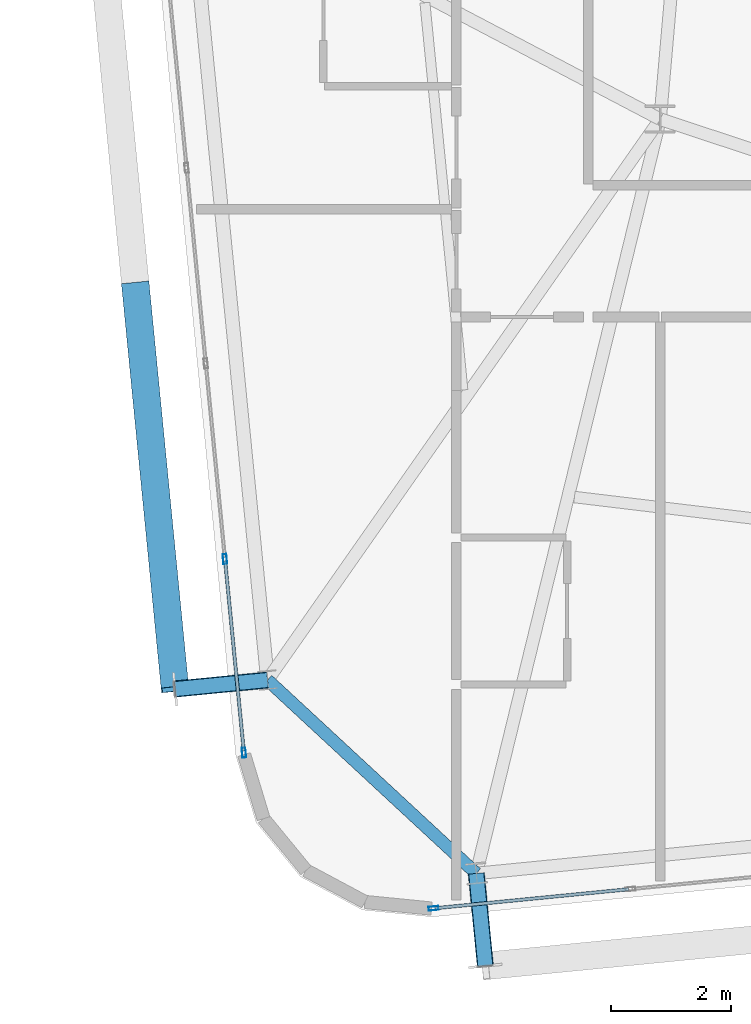
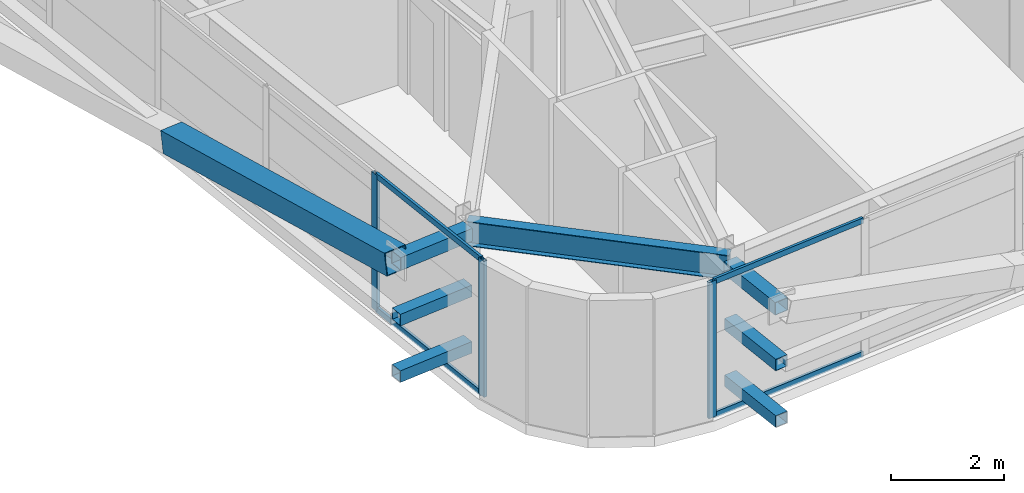
# One storey, part 5 of 53: 14 members, 1 beam, 2 elements without a shape of their own.
"""IFC4 building model written with IfcOpenShell, lengths in metres."""

from ifc_helpers import new_model, si_unit, direction, frame, origin, origin_2d, place, context, subcontext, project, spatial, hollow_rectangle, i_section, extrude, source, transform, mapped, material, layer, layer_set, material_profile, profile_set, type_object, element, aggregate, save


model = new_model("IFC4")

# Units and contexts
model_context = context("Model", 3, precision=1e-05, world=origin(), true_north=direction((0.0, 1.0)))
body_context = subcontext(model_context, "Body", "Model", "MODEL_VIEW")
ifc_project = project(units=[si_unit("LENGTHUNIT", "METRE"), si_unit("AREAUNIT", "SQUARE_METRE"), si_unit("VOLUMEUNIT", "CUBIC_METRE"), si_unit("PLANEANGLEUNIT", "RADIAN"), si_unit("MASSUNIT", "GRAM", prefix="KILO")], contexts=[model_context])

# Site, building, storey
site_placement = place(None, origin())
site = spatial("IfcSite", under=ifc_project, at=site_placement, CompositionType="ELEMENT")
building_placement = place(site_placement, origin())
building = spatial("IfcBuilding", under=site, at=building_placement, Name="Taldren Reach Tower", CompositionType="ELEMENT")
storey_placement = place(building_placement, frame((0.0, 0.0, 84.0)))
storey = spatial("IfcBuildingStorey", under=building, at=storey_placement, Name="L25", CompositionType="ELEMENT", Elevation=84.0)

# Beam
ifc_material_1 = material(Name="Steel Gr 350 (350PLUS)", Category="steel")
ifc_material_profile_1 = material_profile(ifc_material_1, i_section(OverallWidth=0.208984375, OverallDepth=0.528076171875, WebThickness=0.009521484375, FlangeThickness=0.01318359375, at=origin_2d()), Name="530UB82.0")
ifc_profile_set_1 = profile_set([ifc_material_profile_1], Name="Steel Gr 350 (350PLUS)")
beam_type = type_object("IfcBeamType", Name="SP-UB530B", PredefinedType="SPANDREL", material=ifc_profile_set_1)
shared_shape_1 = source(origin(), body_context, "Body", "SweptSolid", [
    extrude(i_section(OverallWidth=0.208984375, OverallDepth=0.528076171875, WebThickness=0.009521484375, FlangeThickness=0.01318359375, at=origin_2d()), origin(), (0.0, 0.0, 1.0), 4.745849609375),
])
beam_placement = place(storey_placement, frame((11.452880859375, 3.145751953125, 2.666015625), z_axis=(0.733524121458, -0.679663419083, 0.0), x_axis=(0.679663419083, 0.733524121458, 0.0)))
element("IfcBeam", 1, at=beam_placement, inside=storey, type_object=beam_type, Name="Perimeter spandrel B2 W1-S1 L25", PredefinedType="SPANDREL", context=body_context, shape_type="MappedRepresentation", body=[
    mapped(shared_shape_1, transform((0.0, 0.0, 0.0), scale=1.0)),
])

# Members
ifc_material_2 = material(Name="Steel Gr 450 (C450L0)", Category="steel")
ifc_material_profile_2 = material_profile(ifc_material_2, hollow_rectangle(XDim=0.27490234375, YDim=0.27490234375, WallThickness=0.00927734375, at=origin_2d()), Name="275x275x9.3SHS")
ifc_profile_set_2 = profile_set([ifc_material_profile_2], Name="Steel Gr 450 (C450L0)")
member_type_1 = type_object("IfcMemberType", Name="MB-TIE273", PredefinedType="STRUT", material=ifc_profile_set_2)
shared_shape_2 = source(origin(), body_context, "Body", "SweptSolid", [
    extrude(hollow_rectangle(XDim=0.27490234375, YDim=0.27490234375, WallThickness=0.00927734375, at=origin_2d()), origin(), (0.0, 0.0, 1.0), 1.550048828125),
])
for number, where, z_axis, x_axis, name in (
    (2, (14.93408203125, -0.079833984375, 2.64990234375), (0.097647892962, -0.9952210252, 0.0), (0.9952210252, 0.097647892962, 0.0), "Exoskeleton diaphragm tie strut B2-S1 L25"),
    (3, (11.452880859375, 3.145751953125, 2.64990234375), (-0.995236318924, -0.097491894511, 0.0), (0.097491894511, -0.995236318924, 0.0), "Exoskeleton diaphragm tie strut B2-W1 L25"),
):
    element("IfcMember", number, at=place(storey_placement, frame(where, z_axis=z_axis, x_axis=x_axis)), inside=storey, type_object=member_type_1, Name=name, PredefinedType="STRUT", context=body_context, shape_type="MappedRepresentation", body=[
        mapped(shared_shape_2, transform((0.0, 0.0, 0.0), scale=1.0)),
    ])
ifc_material_3 = material(Name="Steel Gr 350 (C350L0)", Category="steel")
ifc_material_profile_3 = material_profile(ifc_material_3, hollow_rectangle(XDim=0.25, YDim=0.25, WallThickness=0.010009765625, at=origin_2d()), Name="250x250x10.0SHS")
ifc_profile_set_3 = profile_set([ifc_material_profile_3], Name="Steel Gr 350 (C350L0)")
member_type_2 = type_object("IfcMemberType", Name="MB-POST250", PredefinedType="POST", material=ifc_profile_set_3)
shared_shape_3 = source(origin(), body_context, "Body", "SweptSolid", [
    extrude(hollow_rectangle(XDim=0.25, YDim=0.25, WallThickness=0.010009765625, at=origin_2d()), origin(), (0.0, 0.0, 1.0), 1.550048828125),
])
for number, where, z_axis, x_axis, name in (
    (4, (14.93408203125, -0.079833984375, 0.219970703125), (0.097647892962, -0.9952210252, 0.0), (0.9952210252, 0.097647892962, 0.0), "Exoskeleton base diaphragm tie strut B2-S1 L25"),
    (5, (11.452880859375, 3.145751953125, 0.219970703125), (-0.995236318924, -0.097491894511, 0.0), (0.097491894511, -0.995236318924, 0.0), "Exoskeleton base diaphragm tie strut B2-W1 L25"),
    (6, (14.93408203125, -0.079833984375, 1.43505859375), (0.097647892962, -0.9952210252, 0.0), (0.9952210252, 0.097647892962, 0.0), "Exoskeleton mid-tier diaphragm tie B2-S1 L25"),
    (7, (11.452880859375, 3.145751953125, 1.43505859375), (-0.995236318924, -0.097491894511, 0.0), (0.097491894511, -0.995236318924, 0.0), "Exoskeleton mid-tier diaphragm tie B2-W1 L25"),
):
    element("IfcMember", number, at=place(storey_placement, frame(where, z_axis=z_axis, x_axis=x_axis)), inside=storey, type_object=member_type_2, Name=name, PredefinedType="POST", context=body_context, shape_type="MappedRepresentation", body=[
        mapped(shared_shape_3, transform((0.0, 0.0, 0.0), scale=1.0)),
    ])
ifc_material_profile_4 = material_profile(ifc_material_2, hollow_rectangle(XDim=0.4599609375, YDim=0.4599609375, WallThickness=0.01611328125, at=origin_2d()), Name="460x460x16.0SHS")
ifc_profile_set_4 = profile_set([ifc_material_profile_4], Name="Steel Gr 450 (C450L0)")
member_type_3 = type_object("IfcMemberType", Name="MB-EXO457", PredefinedType="BRACE", material=ifc_profile_set_4)
shared_shape_4 = source(origin(), body_context, "Body", "SweptSolid", [
    extrude(hollow_rectangle(XDim=0.4599609375, YDim=0.4599609375, WallThickness=0.01611328125, at=origin_2d()), origin(), (0.0, 0.0, 1.0), 6.883056640625),
])
member_1_placement = place(storey_placement, frame((9.2490234375, 9.7373046875, 1.43505859375), z_axis=(0.096052059581, -0.979603316657, 0.176497432967), x_axis=(0.995227290009, 0.097584021339, 0.0)))
element("IfcMember", 8, at=member_1_placement, inside=storey, type_object=member_type_3, Name="Exoskeleton Diagrid Brace B2-W1 L25", PredefinedType="BRACE", context=body_context, shape_type="MappedRepresentation", body=[
    mapped(shared_shape_4, transform((0.0, 0.0, 0.0), scale=1.0)),
])

# Curtain wall, member
ifc_material_4 = material(Name="Aluminium and Low-E Glass Unitised System", Category="aluminium")
ifc_layer = layer(ifc_material_4, 0.159912109375)
ifc_layer_set = layer_set([ifc_layer], Name="Aluminium and Low-E Glass Unitised System")
curtain_wall_type = type_object("IfcCurtainWallType", Name="CW-SYS-3", PredefinedType="NOTDEFINED", material=ifc_layer_set)
curtain_wall_1_placement = place(storey_placement, origin())
curtain_wall_1 = element("IfcCurtainWall", 9, at=curtain_wall_1_placement, inside=storey, type_object=curtain_wall_type, Name="Unitised curtain wall CW-L25-S", PredefinedType="NOTDEFINED")
ifc_material_5 = material(Name="Anodised Aluminium 6063-T6", Category="aluminium")
ifc_material_profile_5 = material_profile(ifc_material_5, hollow_rectangle(XDim=0.06494140625, YDim=0.1650390625, WallThickness=0.00390625, at=origin_2d()), Name="ALU-165x65x4RHS")
ifc_profile_set_5 = profile_set([ifc_material_profile_5], Name="Anodised Aluminium 6063-T6")
member_type_4 = type_object("IfcMemberType", Name="CW-MUL-165", PredefinedType="MULLION", material=ifc_profile_set_5)
shared_shape_5 = source(origin(), body_context, "Body", "SweptSolid", [
    extrude(hollow_rectangle(XDim=0.06494140625, YDim=0.1650390625, WallThickness=0.00390625, at=origin_2d()), origin(), (0.0, 0.0, 1.0), 2.929931640625),
])
member_2_placement = place(storey_placement, frame((14.22021484375, -0.662353515625, 0.0), z_axis=(0.0, 0.0, 1.0), x_axis=(-0.097582999046, 0.995227390247, 0.0)))
member_2 = element("IfcMember", 10, at=member_2_placement, type_object=member_type_4, Name="CW-3 mullion 1", PredefinedType="MULLION", context=body_context, shape_type="MappedRepresentation", body=[
    mapped(shared_shape_5, transform((0.0, 0.0, 0.0), scale=1.0)),
])

# Curtain wall, members
curtain_wall_2_placement = place(storey_placement, origin())
curtain_wall_2 = element("IfcCurtainWall", 11, at=curtain_wall_2_placement, inside=storey, type_object=curtain_wall_type, Name="Unitised curtain wall CW-L25-W", PredefinedType="NOTDEFINED")
member_3_placement = place(storey_placement, frame((10.742431640625, 5.163818359375, 0.0), z_axis=(0.0, 0.0, 1.0), x_axis=(0.99522741555, 0.09758274098, 0.0)))
member_3 = element("IfcMember", 12, at=member_3_placement, type_object=member_type_4, Name="CW-3 mullion 9", PredefinedType="MULLION", context=body_context, shape_type="MappedRepresentation", body=[
    mapped(shared_shape_5, transform((0.0, 0.0, 0.0), scale=1.0)),
])
member_4_placement = place(storey_placement, frame((11.05908203125, 1.93408203125, 0.0), z_axis=(0.0, 0.0, 1.0), x_axis=(0.99522741555, 0.09758274098, 0.0)))
member_4 = element("IfcMember", 13, at=member_4_placement, type_object=member_type_4, Name="CW-3 mullion 10", PredefinedType="MULLION", context=body_context, shape_type="MappedRepresentation", body=[
    mapped(shared_shape_5, transform((0.0, 0.0, 0.0), scale=1.0)),
])

# Member
ifc_material_profile_6 = material_profile(ifc_material_5, hollow_rectangle(XDim=0.054931640625, YDim=0.1201171875, WallThickness=0.0029296875, at=origin_2d()), Name="ALU-120x55x3RHS")
ifc_profile_set_6 = profile_set([ifc_material_profile_6], Name="Anodised Aluminium 6063-T6")
member_type_5 = type_object("IfcMemberType", Name="CW-TRN-135", PredefinedType="USERDEFINED", material=ifc_profile_set_6)
shared_shape_6 = source(origin(), body_context, "Body", "SweptSolid", [
    extrude(hollow_rectangle(XDim=0.054931640625, YDim=0.1201171875, WallThickness=0.0029296875, at=origin_2d()), origin(), (0.0, 0.0, 1.0), 3.23583984375),
])
member_5_placement = place(storey_placement, frame((14.25244140625, -0.6591796875, 0.027587890625), z_axis=(0.995230248826, 0.097553840629, 0.0), x_axis=(-0.097553840629, 0.995230248826, 0.0)))
member_5 = element("IfcMember", 14, at=member_5_placement, type_object=member_type_5, Name="CW-3 transom 1.1", ObjectType="TRANSOM", PredefinedType="USERDEFINED", context=body_context, shape_type="MappedRepresentation", body=[
    mapped(shared_shape_6, transform((0.0, 0.0, 0.0), scale=1.0)),
])

member_6_placement = place(storey_placement, frame((14.25244140625, -0.6591796875, 2.902587890625), z_axis=(0.995230248826, 0.097553840629, 0.0), x_axis=(-0.097553840629, 0.995230248826, 0.0)))
member_6 = element("IfcMember", 15, at=member_6_placement, type_object=member_type_5, Name="CW-3 transom 1.2", ObjectType="TRANSOM", PredefinedType="USERDEFINED", context=body_context, shape_type="MappedRepresentation", body=[
    mapped(shared_shape_6, transform((0.0, 0.0, 0.0), scale=1.0)),
])

aggregate(curtain_wall_1, [member_2, member_5, member_6])

shared_shape_7 = source(origin(), body_context, "Body", "SweptSolid", [
    extrude(hollow_rectangle(XDim=0.054931640625, YDim=0.1201171875, WallThickness=0.0029296875, at=origin_2d()), origin(), (0.0, 0.0, 1.0), 3.180419921875),
])
member_7_placement = place(storey_placement, frame((10.74560546875, 5.131591796875, 0.027587890625), z_axis=(0.097565460739, -0.995229109738, 0.0), x_axis=(0.995229109738, 0.097565460739, 0.0)))
member_7 = element("IfcMember", 16, at=member_7_placement, type_object=member_type_5, Name="CW-3 transom 9.1", ObjectType="TRANSOM", PredefinedType="USERDEFINED", context=body_context, shape_type="MappedRepresentation", body=[
    mapped(shared_shape_7, transform((0.0, 0.0, 0.0), scale=1.0)),
])

member_8_placement = place(storey_placement, frame((10.74560546875, 5.131591796875, 2.902587890625), z_axis=(0.097565460739, -0.995229109738, 0.0), x_axis=(0.995229109738, 0.097565460739, 0.0)))
member_8 = element("IfcMember", 17, at=member_8_placement, type_object=member_type_5, Name="CW-3 transom 9.2", ObjectType="TRANSOM", PredefinedType="USERDEFINED", context=body_context, shape_type="MappedRepresentation", body=[
    mapped(shared_shape_7, transform((0.0, 0.0, 0.0), scale=1.0)),
])

aggregate(curtain_wall_2, [member_3, member_4, member_7, member_8])

save(model, "model.ifc")
